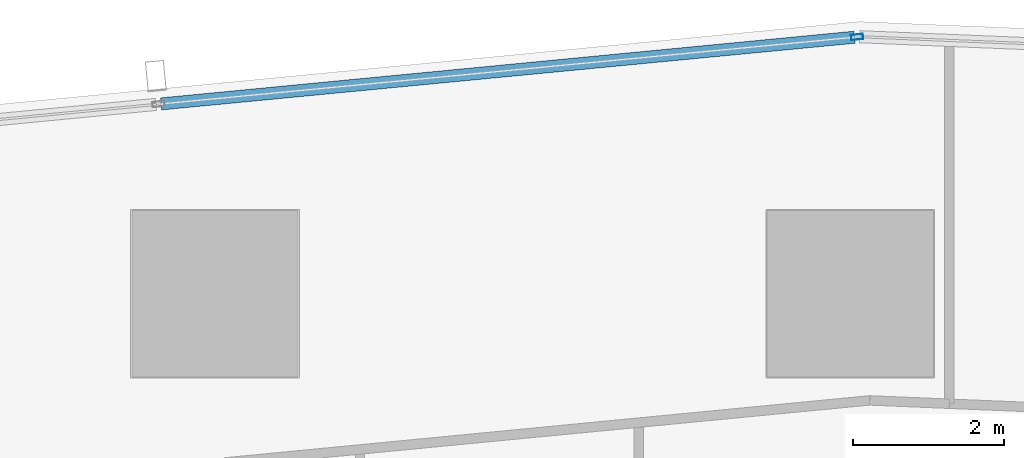
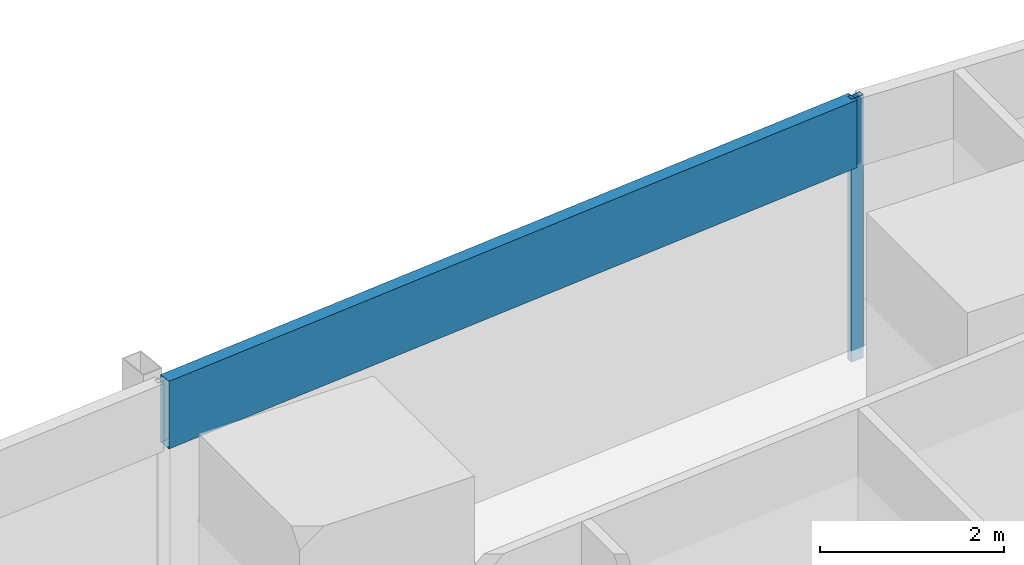
# One storey, part 17 of 44: 2 members, 1 element without a shape of its own.
"""IFC4 building model written with IfcOpenShell, lengths in metres."""

from ifc_helpers import new_model, si_unit, direction, frame, origin, origin_2d, place, context, subcontext, project, spatial, hollow_rectangle, extrude, material, material_profile, profile_set, type_object, element, aggregate, save


model = new_model("IFC4")

# Units and contexts
model_context = context("Model", 3, precision=1e-05, world=origin(), true_north=direction((0.0, 1.0)))
body_context = subcontext(model_context, "Body", "Model", "MODEL_VIEW")
ifc_project = project(units=[si_unit("LENGTHUNIT", "METRE"), si_unit("AREAUNIT", "SQUARE_METRE"), si_unit("VOLUMEUNIT", "CUBIC_METRE"), si_unit("PLANEANGLEUNIT", "RADIAN"), si_unit("MASSUNIT", "GRAM", prefix="KILO")], contexts=[model_context])

# Site, building, storey
site_placement = place(None, origin())
site = spatial("IfcSite", under=ifc_project, at=site_placement, CompositionType="ELEMENT")
building_placement = place(site_placement, origin())
building = spatial("IfcBuilding", under=site, at=building_placement, Name="Rekha Terrace Tower", CompositionType="ELEMENT")
storey_placement = place(building_placement, frame((0.0, 0.0, 47.89990234375)))
storey = spatial("IfcBuildingStorey", under=building, at=storey_placement, Name="L11", CompositionType="ELEMENT", Elevation=47.89990234375)

# Curtain wall, members
ifc_material_1 = material(Name="Aluminium framing", Category="aluminium")
curtain_wall_type = type_object("IfcCurtainWallType", Name="CW3 north unitised glazing", PredefinedType="USERDEFINED", material=ifc_material_1)
curtain_wall_placement = place(storey_placement, origin())
curtain_wall = element("IfcCurtainWall", 1, at=curtain_wall_placement, inside=storey, type_object=curtain_wall_type, Name="CW3 unitised curtain wall", ObjectType="UNITISED CURTAIN WALL", PredefinedType="USERDEFINED")
ifc_material_2 = material(Name="Aluminium mullion section", Category="aluminium")
ifc_material_profile_1 = material_profile(ifc_material_2, hollow_rectangle(XDim=0.070068359375, YDim=0.159912109375, WallThickness=0.00390625, at=origin_2d()), Name="AL RHS 70x160")
ifc_profile_set_1 = profile_set([ifc_material_profile_1], Name="Aluminium mullion section")
member_type_1 = type_object("IfcMemberType", Name="CW3 mullion RHS 70 x 160", PredefinedType="MULLION", material=ifc_profile_set_1)
member_1_placement = place(storey_placement, frame((25.29052734375, 62.1962890625, 0.0), z_axis=(0.0, 0.0, 1.0), x_axis=(0.095712406625, -0.995409029102, 0.0)))
member_1 = element("IfcMember", 2, at=member_1_placement, type_object=member_type_1, Name="CW3 mullion 1", PredefinedType="MULLION", context=body_context, shape_type="SweptSolid", body=[
    extrude(hollow_rectangle(XDim=0.070068359375, YDim=0.159912109375, WallThickness=0.00390625, at=origin_2d()), origin(), (0.0, 0.0, 1.0), 3.5),
])
ifc_material_3 = material(Name="Insulated aluminium spandrel box", Category="aluminium")
ifc_material_profile_2 = material_profile(ifc_material_3, hollow_rectangle(XDim=0.159912109375, YDim=0.89990234375, WallThickness=0.0029296875, at=origin_2d()), Name="AL SPANDREL BOX 160x900")
ifc_profile_set_2 = profile_set([ifc_material_profile_2], Name="Insulated aluminium spandrel box")
member_type_2 = type_object("IfcMemberType", Name="CW3 spandrel transom 160 x 900", PredefinedType="USERDEFINED", material=ifc_profile_set_2)
member_2_placement = place(storey_placement, frame((25.255859375, 62.19287109375, 3.050048828125), z_axis=(-0.995408446287, -0.095718467713, 0.0), x_axis=(0.095718467713, -0.995408446287, 0.0)))
member_2 = element("IfcMember", 3, at=member_2_placement, type_object=member_type_2, Name="CW3 spandrel transom 1", ObjectType="TRANSOM", PredefinedType="USERDEFINED", context=body_context, shape_type="SweptSolid", body=[
    extrude(hollow_rectangle(XDim=0.159912109375, YDim=0.89990234375, WallThickness=0.0029296875, at=origin_2d()), origin(), (0.0, 0.0, 1.0), 9.210205078125),
])
aggregate(curtain_wall, [member_1, member_2])

save(model, "model.ifc")
